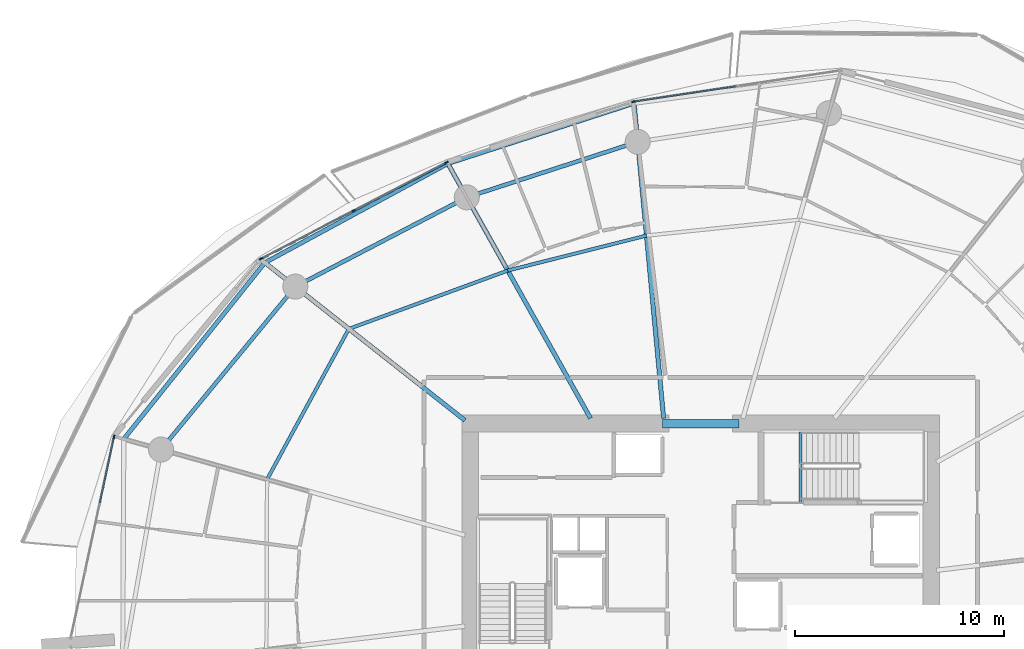
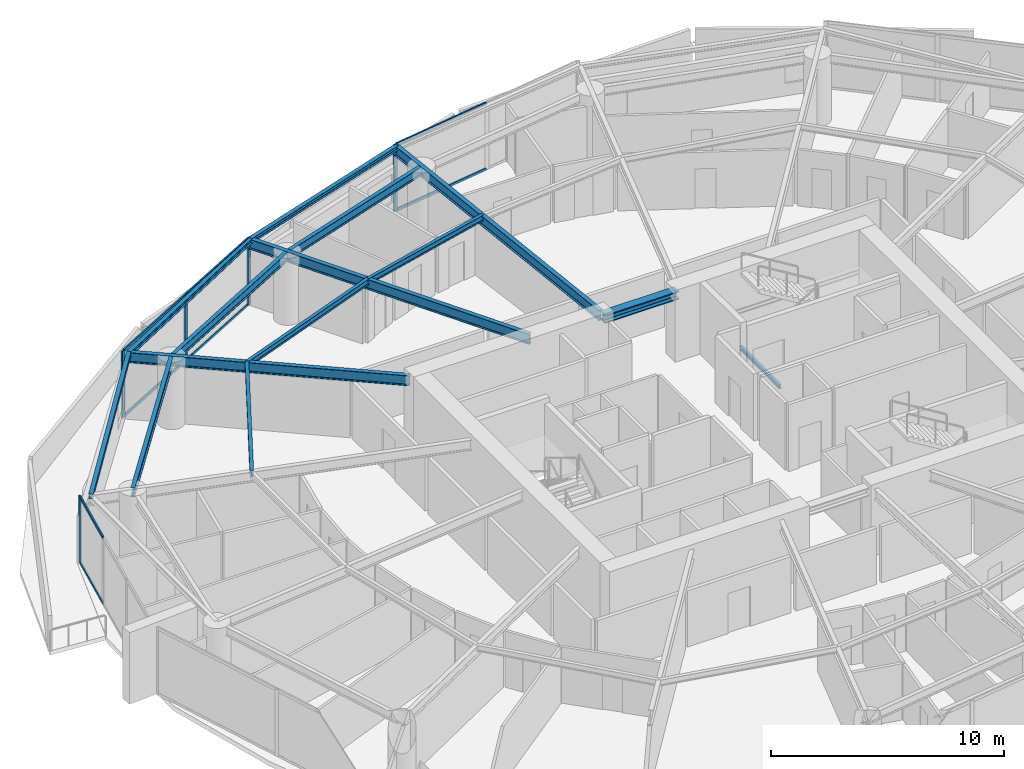
# One storey, part 8 of 23: 14 beams, 13 members, 3 elements without a shape of their own.
"""IFC4 building model written with IfcOpenShell, lengths in metres."""

from ifc_helpers import new_model, si_unit, direction, frame, origin, origin_2d, place, context, subcontext, project, spatial, rectangle, i_section, extrude, material, layer, layer_set, material_profile, profile_set, type_object, element, aggregate, save


model = new_model("IFC4")

# Units and contexts
model_context = context("Model", 3, precision=1e-05, world=origin(), true_north=direction((0.0, 1.0)))
body_context = subcontext(model_context, "Body", "Model", "MODEL_VIEW")
ifc_project = project(units=[si_unit("LENGTHUNIT", "METRE"), si_unit("AREAUNIT", "SQUARE_METRE"), si_unit("VOLUMEUNIT", "CUBIC_METRE"), si_unit("PLANEANGLEUNIT", "RADIAN"), si_unit("MASSUNIT", "GRAM", prefix="KILO")], contexts=[model_context])

# Site, building, storey
site_placement = place(None, origin())
site = spatial("IfcSite", under=ifc_project, at=site_placement, CompositionType="ELEMENT")
building_placement = place(site_placement, origin())
building = spatial("IfcBuilding", under=site, at=building_placement, Name="Kazma Halo Residences", CompositionType="ELEMENT")
storey_placement = place(building_placement, frame((0.0, 0.0, 101.39990234375)))
storey = spatial("IfcBuildingStorey", under=building, at=storey_placement, Name="L25", CompositionType="ELEMENT", Elevation=101.39990234375)

# Beams
ifc_material_1 = material(Name="Steel S355", Category="steel")
ifc_material_profile_1 = material_profile(ifc_material_1, i_section(OverallWidth=0.201904296875, OverallDepth=0.2470703125, WebThickness=0.00732421875, FlangeThickness=0.010986328125, FilletRadius=0.011962890625, at=origin_2d()), Name="W250x49.1")
ifc_profile_set_1 = profile_set([ifc_material_profile_1], Name="Steel S355")
beam_type_1 = type_object("IfcBeamType", Name="BM-BAL-CANT", PredefinedType="BEAM", material=ifc_profile_set_1)
beam_1_placement = place(storey_placement, frame((45.239013671875, 65.7109375, 3.376708984375), z_axis=(-0.951364037255, -0.308068934846, 0.0), x_axis=(0.308068934846, -0.951364037255, 0.0)))
element("IfcBeam", 1, at=beam_1_placement, inside=storey, type_object=beam_type_1, Name="L25 wave-balcony tie beam 04", PredefinedType="BEAM", context=body_context, shape_type="SweptSolid", body=[
    extrude(i_section(OverallWidth=0.201904296875, OverallDepth=0.2470703125, WebThickness=0.00732421875, FlangeThickness=0.010986328125, FilletRadius=0.011962890625, at=origin_2d()), origin(), (0.0, 0.0, 1.0), 9.3583984375),
])
beam_2_placement = place(storey_placement, frame((36.335693359375, 62.827880859375, 3.376708984375), z_axis=(-0.87930438671, -0.476260218276, 0.0), x_axis=(0.476260218276, -0.87930438671, 0.0)))
element("IfcBeam", 2, at=beam_2_placement, inside=storey, type_object=beam_type_1, Name="L25 wave-balcony tie beam 05", PredefinedType="BEAM", context=body_context, shape_type="SweptSolid", body=[
    extrude(i_section(OverallWidth=0.201904296875, OverallDepth=0.2470703125, WebThickness=0.00732421875, FlangeThickness=0.010986328125, FilletRadius=0.011962890625, at=origin_2d()), origin(), (0.0, 0.0, 1.0), 9.94677734375),
])
beam_3_placement = place(storey_placement, frame((27.58935546875, 58.090576171875, 3.376708984375), z_axis=(-0.62477775999, -0.78080263231, 0.0), x_axis=(0.78080263231, -0.62477775999, 0.0)))
element("IfcBeam", 3, at=beam_3_placement, inside=storey, type_object=beam_type_1, Name="L25 wave-balcony tie beam 06", PredefinedType="BEAM", context=body_context, shape_type="SweptSolid", body=[
    extrude(i_section(OverallWidth=0.201904296875, OverallDepth=0.2470703125, WebThickness=0.00732421875, FlangeThickness=0.010986328125, FilletRadius=0.011962890625, at=origin_2d()), origin(), (0.0, 0.0, 1.0), 10.79833984375),
])
ifc_material_profile_2 = material_profile(ifc_material_1, i_section(OverallWidth=0.408935546875, OverallDepth=0.425048828125, WebThickness=0.03271484375, FlangeThickness=0.052490234375, FilletRadius=0.02001953125, at=origin_2d()), Name="W360x421")
ifc_profile_set_2 = profile_set([ifc_material_profile_2], Name="Steel S355")
beam_type_2 = type_object("IfcBeamType", Name="BM-CORE-W360H", PredefinedType="BEAM", material=ifc_profile_set_2)
beam_4_placement = place(storey_placement, frame((46.60009765625, 50.39990234375, 3.28759765625), z_axis=(1.0, 0.0, 0.0), x_axis=(0.0, 1.0, 0.0)))
element("IfcBeam", 4, at=beam_4_placement, inside=storey, type_object=beam_type_2, Name="L25 core coupling beam N", PredefinedType="BEAM", context=body_context, shape_type="SweptSolid", body=[
    extrude(i_section(OverallWidth=0.408935546875, OverallDepth=0.425048828125, WebThickness=0.03271484375, FlangeThickness=0.052490234375, FilletRadius=0.02001953125, at=origin_2d()), origin(), (0.0, 0.0, 1.0), 3.64990234375),
])
ifc_material_profile_3 = material_profile(ifc_material_1, i_section(OverallWidth=0.208984375, OverallDepth=0.532958984375, WebThickness=0.01025390625, FlangeThickness=0.015625, FilletRadius=0.01611328125, at=origin_2d()), Name="W530x92")
ifc_profile_set_3 = profile_set([ifc_material_profile_3], Name="Steel S355")
beam_type_3 = type_object("IfcBeamType", Name="BM-RAD-W530", PredefinedType="BEAM", material=ifc_profile_set_3)
beam_5_placement = place(storey_placement, frame((46.64990234375, 50.64990234375, 3.233642578125), z_axis=(-0.093269713752, 0.995640879282, 0.0), x_axis=(-0.995640879282, -0.093269713752, 0.0)))
element("IfcBeam", 5, at=beam_5_placement, inside=storey, type_object=beam_type_3, Name="L25 radial floor beam 04", PredefinedType="BEAM", context=body_context, shape_type="SweptSolid", body=[
    extrude(i_section(OverallWidth=0.208984375, OverallDepth=0.532958984375, WebThickness=0.01025390625, FlangeThickness=0.015625, FilletRadius=0.01611328125, at=origin_2d()), origin(), (0.0, 0.0, 1.0), 15.126953125),
])
beam_6_placement = place(storey_placement, frame((43.15576171875, 50.64990234375, 3.233642578125), z_axis=(-0.488625206529, 0.872493786536, 0.0), x_axis=(-0.872493786536, -0.488625206529, 0.0)))
element("IfcBeam", 6, at=beam_6_placement, inside=storey, type_object=beam_type_3, Name="L25 radial floor beam 05", PredefinedType="BEAM", context=body_context, shape_type="SweptSolid", body=[
    extrude(i_section(OverallWidth=0.208984375, OverallDepth=0.532958984375, WebThickness=0.01025390625, FlangeThickness=0.015625, FilletRadius=0.01611328125, at=origin_2d()), origin(), (0.0, 0.0, 1.0), 13.957763671875),
])
beam_7_placement = place(storey_placement, frame((37.14990234375, 50.553466796875, 3.233642578125), z_axis=(-0.785309664997, 0.619103165929, 0.0), x_axis=(-0.619103165929, -0.785309664997, 0.0)))
element("IfcBeam", 7, at=beam_7_placement, inside=storey, type_object=beam_type_3, Name="L25 radial floor beam 06", PredefinedType="BEAM", context=body_context, shape_type="SweptSolid", body=[
    extrude(i_section(OverallWidth=0.208984375, OverallDepth=0.532958984375, WebThickness=0.01025390625, FlangeThickness=0.015625, FilletRadius=0.01611328125, at=origin_2d()), origin(), (0.0, 0.0, 1.0), 12.17431640625),
])
ifc_material_profile_4 = material_profile(ifc_material_1, i_section(OverallWidth=0.1650390625, OverallDepth=0.31005859375, WebThickness=0.005859375, FlangeThickness=0.009765625, FilletRadius=0.011962890625, at=origin_2d()), Name="W310x38.7")
ifc_profile_set_4 = profile_set([ifc_material_profile_4], Name="Steel S355")
beam_type_4 = type_object("IfcBeamType", Name="BM-SEC-W310B", PredefinedType="JOIST", material=ifc_profile_set_4)
beam_8_placement = place(storey_placement, frame((45.83154296875, 59.385498046875, 3.34521484375), z_axis=(-0.969640662449, -0.244534221993, 0.0), x_axis=(0.244534221993, -0.969640662449, 0.0)))
element("IfcBeam", 8, at=beam_8_placement, inside=storey, type_object=beam_type_4, Name="L25 circumferential floor joist 04", PredefinedType="JOIST", context=body_context, shape_type="SweptSolid", body=[
    extrude(i_section(OverallWidth=0.1650390625, OverallDepth=0.31005859375, WebThickness=0.005859375, FlangeThickness=0.009765625, FilletRadius=0.011962890625, at=origin_2d()), origin(), (0.0, 0.0, 1.0), 6.8388671875),
])
beam_9_placement = place(storey_placement, frame((39.2001953125, 57.713134765625, 3.34521484375), z_axis=(-0.93875304644, -0.344590652513, 0.0), x_axis=(0.344590652513, -0.93875304644, 0.0)))
element("IfcBeam", 9, at=beam_9_placement, inside=storey, type_object=beam_type_4, Name="L25 circumferential floor joist 05", PredefinedType="JOIST", context=body_context, shape_type="SweptSolid", body=[
    extrude(i_section(OverallWidth=0.1650390625, OverallDepth=0.31005859375, WebThickness=0.005859375, FlangeThickness=0.009765625, FilletRadius=0.011962890625, at=origin_2d()), origin(), (0.0, 0.0, 1.0), 8.091064453125),
])
beam_10_placement = place(storey_placement, frame((31.604736328125, 54.925048828125, 3.34521484375), z_axis=(-0.477621844446, -0.878565520441, 0.0), x_axis=(0.878565520441, -0.477621844446, 0.0)))
element("IfcBeam", 10, at=beam_10_placement, inside=storey, type_object=beam_type_4, Name="L25 circumferential floor joist 06", PredefinedType="JOIST", context=body_context, shape_type="SweptSolid", body=[
    extrude(i_section(OverallWidth=0.1650390625, OverallDepth=0.31005859375, WebThickness=0.005859375, FlangeThickness=0.009765625, FilletRadius=0.011962890625, at=origin_2d()), origin(), (0.0, 0.0, 1.0), 8.1923828125),
])
ifc_material_profile_5 = material_profile(ifc_material_1, i_section(OverallWidth=0.18994140625, OverallDepth=0.45703125, WebThickness=0.009033203125, FlangeThickness=0.014404296875, FilletRadius=0.01611328125, at=origin_2d()), Name="W460x74")
ifc_profile_set_5 = profile_set([ifc_material_profile_5], Name="Steel S355")
beam_type_5 = type_object("IfcBeamType", Name="BM-SPN-W460", PredefinedType="BEAM", material=ifc_profile_set_5)
beam_11_placement = place(storey_placement, frame((45.41162109375, 63.869140625, 3.271484375), z_axis=(-0.951054111927, -0.30902439416, 0.0), x_axis=(0.30902439416, -0.951054111927, 0.0)))
element("IfcBeam", 11, at=beam_11_placement, inside=storey, type_object=beam_type_5, Name="L25 perimeter ring beam 04", PredefinedType="BEAM", context=body_context, shape_type="SweptSolid", body=[
    extrude(i_section(OverallWidth=0.18994140625, OverallDepth=0.45703125, WebThickness=0.009033203125, FlangeThickness=0.014404296875, FilletRadius=0.01611328125, at=origin_2d()), origin(), (0.0, 0.0, 1.0), 8.592529296875),
])
beam_12_placement = place(storey_placement, frame((37.23974609375, 61.2138671875, 3.271484375), z_axis=(-0.886963229644, -0.461840047266, 0.0), x_axis=(0.461840047266, -0.886963229644, 0.0)))
element("IfcBeam", 12, at=beam_12_placement, inside=storey, type_object=beam_type_5, Name="L25 perimeter ring beam 05", PredefinedType="BEAM", context=body_context, shape_type="SweptSolid", body=[
    extrude(i_section(OverallWidth=0.18994140625, OverallDepth=0.45703125, WebThickness=0.009033203125, FlangeThickness=0.014404296875, FilletRadius=0.01611328125, at=origin_2d()), origin(), (0.0, 0.0, 1.0), 9.242431640625),
])
beam_13_placement = place(storey_placement, frame((29.0419921875, 56.9453125, 3.271484375), z_axis=(-0.635989564566, -0.771697656963, 0.0), x_axis=(0.771697656963, -0.635989564566, 0.0)))
element("IfcBeam", 13, at=beam_13_placement, inside=storey, type_object=beam_type_5, Name="L25 perimeter ring beam 06", PredefinedType="BEAM", context=body_context, shape_type="SweptSolid", body=[
    extrude(i_section(OverallWidth=0.18994140625, OverallDepth=0.45703125, WebThickness=0.009033203125, FlangeThickness=0.014404296875, FilletRadius=0.01611328125, at=origin_2d()), origin(), (0.0, 0.0, 1.0), 10.092529296875),
])
ifc_material_profile_6 = material_profile(ifc_material_1, i_section(OverallWidth=0.133056640625, OverallDepth=0.20703125, WebThickness=0.005859375, FlangeThickness=0.00830078125, FilletRadius=0.010009765625, at=origin_2d()), Name="W200x26.6")
ifc_profile_set_6 = profile_set([ifc_material_profile_6], Name="Steel S355")
beam_type_6 = type_object("IfcBeamType", Name="BM-TRIM-W200", PredefinedType="BEAM", material=ifc_profile_set_6)
beam_14_placement = place(storey_placement, frame((53.199951171875, 46.6201171875, -0.35986328125), z_axis=(0.0, 1.0, 0.0), x_axis=(-1.0, 0.0, 0.0)))
element("IfcBeam", 14, at=beam_14_placement, inside=storey, type_object=beam_type_6, Name="L25 ST-02 floor landing support beam", PredefinedType="BEAM", context=body_context, shape_type="SweptSolid", body=[
    extrude(i_section(OverallWidth=0.133056640625, OverallDepth=0.20703125, WebThickness=0.005859375, FlangeThickness=0.00830078125, FilletRadius=0.010009765625, at=origin_2d()), origin(), (0.0, 0.0, 1.0), 3.3798828125),
])

# Curtain wall, member
ifc_material_2 = material(Name="Aluminium AW-6063 T6 and Triple-Silver Low-E Glass", Category="aluminium")
ifc_layer = layer(ifc_material_2, 0.199951171875)
ifc_layer_set = layer_set([ifc_layer], Name="Aluminium AW-6063 T6 and Triple-Silver Low-E Glass")
curtain_wall_type = type_object("IfcCurtainWallType", Name="CW-SYS-3", PredefinedType="NOTDEFINED", material=ifc_layer_set)
curtain_wall_1_placement = place(storey_placement, origin())
curtain_wall_1 = element("IfcCurtainWall", 15, at=curtain_wall_1_placement, inside=storey, type_object=curtain_wall_type, Name="L25 unitised curtain wall B03", PredefinedType="NOTDEFINED")
ifc_material_3 = material(Name="Aluminium AW-6063 T6", Category="aluminium")
ifc_material_profile_7 = material_profile(ifc_material_3, rectangle(XDim=0.070068359375, YDim=0.199951171875, at=origin_2d()), Name="CWM-70x200")
ifc_profile_set_7 = profile_set([ifc_material_profile_7], Name="Aluminium AW-6063 T6")
member_type_1 = type_object("IfcMemberType", Name="CW-SYS-3-MUL", PredefinedType="MULLION", material=ifc_profile_set_7)
member_1_placement = place(storey_placement, frame((45.219970703125, 65.78662109375, 0.0), z_axis=(0.0, 0.0, 1.0), x_axis=(0.148717330409, -0.988879747814, 0.0)))
member_1 = element("IfcMember", 16, at=member_1_placement, type_object=member_type_1, Name="CWS-3 mullion 3", PredefinedType="MULLION", context=body_context, shape_type="SweptSolid", body=[
    extrude(rectangle(XDim=0.070068359375, YDim=0.199951171875, at=origin_2d()), origin(), (0.0, 0.0, 1.0), 3.5),
])

# Curtain wall, members
curtain_wall_2_placement = place(storey_placement, origin())
curtain_wall_2 = element("IfcCurtainWall", 17, at=curtain_wall_2_placement, inside=storey, type_object=curtain_wall_type, Name="L25 unitised curtain wall B05", PredefinedType="NOTDEFINED")
member_2_placement = place(storey_placement, frame((36.267822265625, 62.8779296875, 0.0), z_axis=(0.0, 0.0, 1.0), x_axis=(0.460932159481, -0.887435374749, 0.0)))
member_2 = element("IfcMember", 18, at=member_2_placement, type_object=member_type_1, Name="CWS-3 mullion 1", PredefinedType="MULLION", context=body_context, shape_type="SweptSolid", body=[
    extrude(rectangle(XDim=0.070068359375, YDim=0.199951171875, at=origin_2d()), origin(), (0.0, 0.0, 1.0), 3.5),
])
member_3_placement = place(storey_placement, frame((31.8369140625, 60.57666015625, 0.0), z_axis=(0.0, 0.0, 1.0), x_axis=(0.460932159481, -0.887435374749, 0.0)))
member_3 = element("IfcMember", 19, at=member_3_placement, type_object=member_type_1, Name="CWS-3 mullion 2", PredefinedType="MULLION", context=body_context, shape_type="SweptSolid", body=[
    extrude(rectangle(XDim=0.070068359375, YDim=0.199951171875, at=origin_2d()), origin(), (0.0, 0.0, 1.0), 3.5),
])
member_4_placement = place(storey_placement, frame((27.40625, 58.275390625, 0.0), z_axis=(0.0, 0.0, 1.0), x_axis=(0.460932159481, -0.887435374749, 0.0)))
member_4 = element("IfcMember", 20, at=member_4_placement, type_object=member_type_1, Name="CWS-3 mullion 3", PredefinedType="MULLION", context=body_context, shape_type="SweptSolid", body=[
    extrude(rectangle(XDim=0.070068359375, YDim=0.199951171875, at=origin_2d()), origin(), (0.0, 0.0, 1.0), 3.5),
])

# Curtain wall, member
curtain_wall_3_placement = place(storey_placement, origin())
curtain_wall_3 = element("IfcCurtainWall", 21, at=curtain_wall_3_placement, inside=storey, type_object=curtain_wall_type, Name="L25 unitised curtain wall B07", PredefinedType="NOTDEFINED")
member_5_placement = place(storey_placement, frame((20.3740234375, 49.755126953125, 0.0), z_axis=(0.0, 0.0, 1.0), x_axis=(0.977774176093, -0.209660822677, 0.0)))
member_5 = element("IfcMember", 22, at=member_5_placement, type_object=member_type_1, Name="CWS-3 mullion 1", PredefinedType="MULLION", context=body_context, shape_type="SweptSolid", body=[
    extrude(rectangle(XDim=0.070068359375, YDim=0.199951171875, at=origin_2d()), origin(), (0.0, 0.0, 1.0), 3.5),
])

# Member
ifc_material_profile_8 = material_profile(ifc_material_3, rectangle(XDim=0.070068359375, YDim=0.14990234375, at=origin_2d()), Name="CWT-70x150")
ifc_profile_set_8 = profile_set([ifc_material_profile_8], Name="Aluminium AW-6063 T6")
member_type_2 = type_object("IfcMemberType", Name="CW-SYS-3-TRN", PredefinedType="USERDEFINED", material=ifc_profile_set_8)
member_6_placement = place(storey_placement, frame((50.12255859375, 66.52392578125, 0.03515625), z_axis=(-0.988884271372, -0.148687248386, 0.0), x_axis=(0.148687248386, -0.988884271372, 0.0)))
member_6 = element("IfcMember", 23, at=member_6_placement, type_object=member_type_2, Name="CWS-3 transom 2.1", ObjectType="TRANSOM", PredefinedType="USERDEFINED", context=body_context, shape_type="SweptSolid", body=[
    extrude(rectangle(XDim=0.070068359375, YDim=0.14990234375, at=origin_2d()), origin(), (0.0, 0.0, 1.0), 4.922607421875),
])

member_7_placement = place(storey_placement, frame((50.12255859375, 66.52392578125, 3.465087890625), z_axis=(-0.988884271372, -0.148687248386, 0.0), x_axis=(0.148687248386, -0.988884271372, 0.0)))
member_7 = element("IfcMember", 24, at=member_7_placement, type_object=member_type_2, Name="CWS-3 transom 2.2", ObjectType="TRANSOM", PredefinedType="USERDEFINED", context=body_context, shape_type="SweptSolid", body=[
    extrude(rectangle(XDim=0.070068359375, YDim=0.14990234375, at=origin_2d()), origin(), (0.0, 0.0, 1.0), 4.922607421875),
])

aggregate(curtain_wall_1, [member_1, member_6, member_7])

member_8_placement = place(storey_placement, frame((36.236572265625, 62.86181640625, 0.03515625), z_axis=(-0.887427024944, -0.460948235054, 0.0), x_axis=(0.460948235054, -0.887427024944, 0.0)))
member_8 = element("IfcMember", 25, at=member_8_placement, type_object=member_type_2, Name="CWS-3 transom 1.1", ObjectType="TRANSOM", PredefinedType="USERDEFINED", context=body_context, shape_type="SweptSolid", body=[
    extrude(rectangle(XDim=0.070068359375, YDim=0.14990234375, at=origin_2d()), origin(), (0.0, 0.0, 1.0), 4.922607421875),
])

member_9_placement = place(storey_placement, frame((36.236572265625, 62.86181640625, 3.465087890625), z_axis=(-0.887427024944, -0.460948235054, 0.0), x_axis=(0.460948235054, -0.887427024944, 0.0)))
member_9 = element("IfcMember", 26, at=member_9_placement, type_object=member_type_2, Name="CWS-3 transom 1.2", ObjectType="TRANSOM", PredefinedType="USERDEFINED", context=body_context, shape_type="SweptSolid", body=[
    extrude(rectangle(XDim=0.070068359375, YDim=0.14990234375, at=origin_2d()), origin(), (0.0, 0.0, 1.0), 4.922607421875),
])

member_10_placement = place(storey_placement, frame((31.805908203125, 60.560546875, 0.03515625), z_axis=(-0.887437562141, -0.460927948058, 0.0), x_axis=(0.460927948058, -0.887437562141, 0.0)))
member_10 = element("IfcMember", 27, at=member_10_placement, type_object=member_type_2, Name="CWS-3 transom 2.1", ObjectType="TRANSOM", PredefinedType="USERDEFINED", context=body_context, shape_type="SweptSolid", body=[
    extrude(rectangle(XDim=0.070068359375, YDim=0.14990234375, at=origin_2d()), origin(), (0.0, 0.0, 1.0), 4.9228515625),
])

member_11_placement = place(storey_placement, frame((31.805908203125, 60.560546875, 3.465087890625), z_axis=(-0.887437562141, -0.460927948058, 0.0), x_axis=(0.460927948058, -0.887437562141, 0.0)))
member_11 = element("IfcMember", 28, at=member_11_placement, type_object=member_type_2, Name="CWS-3 transom 2.2", ObjectType="TRANSOM", PredefinedType="USERDEFINED", context=body_context, shape_type="SweptSolid", body=[
    extrude(rectangle(XDim=0.070068359375, YDim=0.14990234375, at=origin_2d()), origin(), (0.0, 0.0, 1.0), 4.9228515625),
])

aggregate(curtain_wall_2, [member_2, member_3, member_4, member_8, member_9, member_10, member_11])

member_12_placement = place(storey_placement, frame((20.36669921875, 49.720947265625, 0.03515625), z_axis=(-0.209702197956, -0.977765303216, 0.0), x_axis=(0.977765303216, -0.209702197956, 0.0)))
member_12 = element("IfcMember", 29, at=member_12_placement, type_object=member_type_2, Name="CWS-3 transom 1.1", ObjectType="TRANSOM", PredefinedType="USERDEFINED", context=body_context, shape_type="SweptSolid", body=[
    extrude(rectangle(XDim=0.070068359375, YDim=0.14990234375, at=origin_2d()), origin(), (0.0, 0.0, 1.0), 3.17822265625),
])

member_13_placement = place(storey_placement, frame((20.36669921875, 49.720947265625, 3.465087890625), z_axis=(-0.209702197956, -0.977765303216, 0.0), x_axis=(0.977765303216, -0.209702197956, 0.0)))
member_13 = element("IfcMember", 30, at=member_13_placement, type_object=member_type_2, Name="CWS-3 transom 1.2", ObjectType="TRANSOM", PredefinedType="USERDEFINED", context=body_context, shape_type="SweptSolid", body=[
    extrude(rectangle(XDim=0.070068359375, YDim=0.14990234375, at=origin_2d()), origin(), (0.0, 0.0, 1.0), 3.17822265625),
])

aggregate(curtain_wall_3, [member_5, member_12, member_13])

save(model, "model.ifc")
